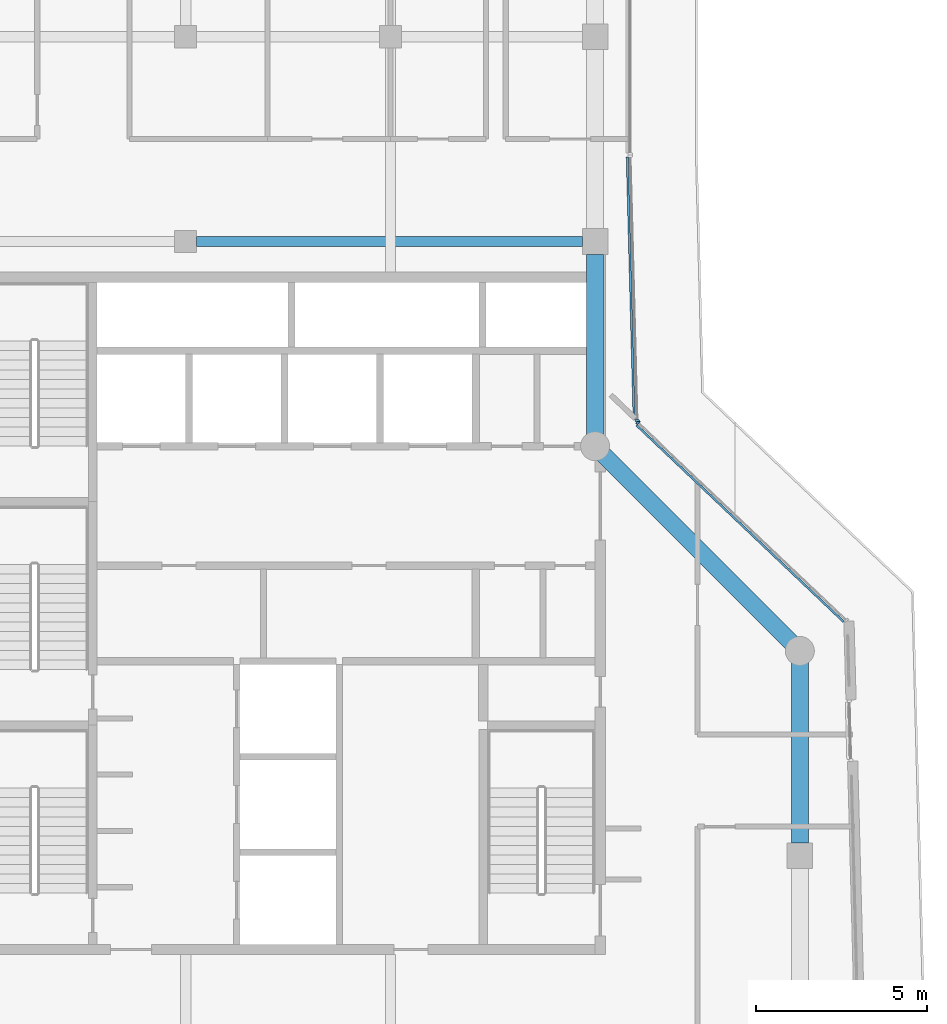
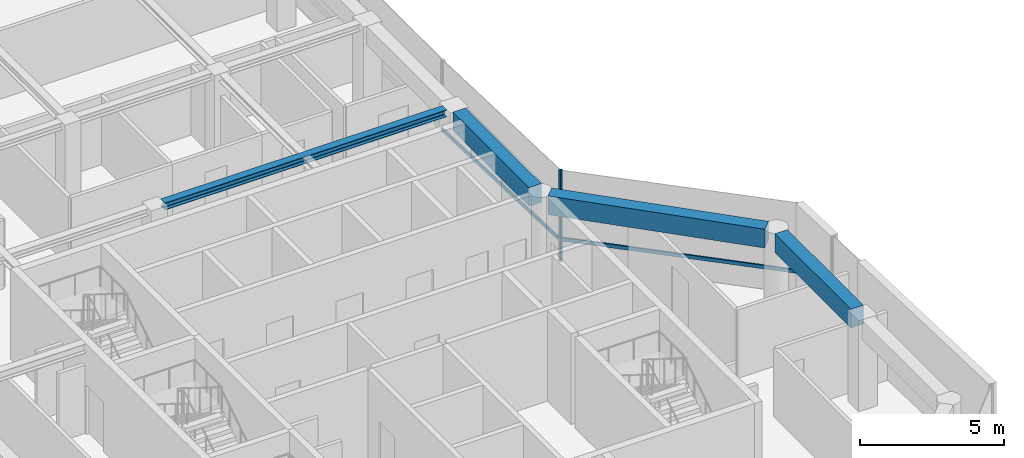
# One storey, part 5 of 20: 4 beams, 4 members, 2 elements without a shape of their own.
"""IFC4 building model written with IfcOpenShell, lengths in metres."""

from ifc_helpers import new_model, si_unit, direction, frame, origin, origin_2d, place, context, subcontext, project, spatial, rectangle, i_section, extrude, material, layer, layer_set, material_profile, profile_set, type_object, element, aggregate, save


model = new_model("IFC4")

# Units and contexts
model_context = context("Model", 3, precision=1e-05, world=origin(), true_north=direction((0.0, 1.0)))
body_context = subcontext(model_context, "Body", "Model", "MODEL_VIEW")
ifc_project = project(units=[si_unit("LENGTHUNIT", "METRE"), si_unit("AREAUNIT", "SQUARE_METRE"), si_unit("VOLUMEUNIT", "CUBIC_METRE"), si_unit("PLANEANGLEUNIT", "RADIAN"), si_unit("MASSUNIT", "GRAM", prefix="KILO")], contexts=[model_context])

# Site, building, storey
site_placement = place(None, origin())
site = spatial("IfcSite", under=ifc_project, at=site_placement, CompositionType="ELEMENT")
building_placement = place(site_placement, origin())
building = spatial("IfcBuilding", under=site, at=building_placement, Name="Welwitschia Terrace Campus", CompositionType="ELEMENT")
storey_placement = place(building_placement, frame((0.0, 0.0, 293.60009765625)))
storey = spatial("IfcBuildingStorey", under=building, at=storey_placement, Name="L65", CompositionType="ELEMENT", Elevation=293.60009765625)

# Beam
ifc_material_1 = material(Name="Steel S355", Category="steel")
ifc_material_profile_1 = material_profile(ifc_material_1, i_section(OverallWidth=0.300048828125, OverallDepth=0.300048828125, WebThickness=0.010986328125, FlangeThickness=0.01904296875, FilletRadius=0.027099609375, at=origin_2d()))
ifc_profile_set_1 = profile_set([ifc_material_profile_1], Name="Steel S355")
beam_type_1 = type_object("IfcBeamType", Name="Interior girder HE 300 B", PredefinedType="BEAM", material=ifc_profile_set_1)
beam_1_placement = place(storey_placement, frame((12.325439453125, 26.0, 3.699951171875), z_axis=(1.0, 0.0, 0.0), x_axis=(0.0, 1.0, 0.0)))
element("IfcBeam", 1, at=beam_1_placement, inside=storey, type_object=beam_type_1, Name="Girder GB6", PredefinedType="BEAM", context=body_context, shape_type="SweptSolid", body=[
    extrude(i_section(OverallWidth=0.300048828125, OverallDepth=0.300048828125, WebThickness=0.010986328125, FlangeThickness=0.01904296875, FilletRadius=0.027099609375, at=origin_2d()), origin(), (0.0, 0.0, 1.0), 11.30908203125),
])

# Curtain wall, member
ifc_material_2 = material(Name="Bronze anodised aluminium", Category="aluminium")
ifc_layer = layer(ifc_material_2, 0.1201171875)
ifc_layer_set = layer_set([ifc_layer], Name="Bronze anodised aluminium")
curtain_wall_type = type_object("IfcCurtainWallType", Name="Curtain wall CW2 tower 6000", PredefinedType="NOTDEFINED", material=ifc_layer_set)
curtain_wall_1_placement = place(storey_placement, origin())
curtain_wall_1 = element("IfcCurtainWall", 2, at=curtain_wall_1_placement, inside=storey, type_object=curtain_wall_type, Name="CW L65.7.0", PredefinedType="NOTDEFINED")
ifc_material_3 = material(Name="Bronze anodised aluminium", Category="aluminium")
ifc_material_profile_2 = material_profile(ifc_material_3, rectangle(XDim=0.1201171875, YDim=0.06005859375, at=origin_2d()))
ifc_profile_set_2 = profile_set([ifc_material_profile_2], Name="Bronze anodised aluminium")
member_type_1 = type_object("IfcMemberType", Name="Mullion 60x120", PredefinedType="MULLION", material=ifc_profile_set_2)
member_1_placement = place(storey_placement, frame((25.25634765625, 20.6982421875, 0.0), z_axis=(0.0, 0.0, 1.0), x_axis=(-0.688354575694, -0.725374371012, 0.0)))
member_1 = element("IfcMember", 3, at=member_1_placement, type_object=member_type_1, Name="Mullion L65.7.0.1", PredefinedType="MULLION", context=body_context, shape_type="SweptSolid", body=[
    extrude(rectangle(XDim=0.1201171875, YDim=0.06005859375, at=origin_2d()), origin(), (0.0, 0.0, 1.0), 3.849853515625),
])

curtain_wall_2_placement = place(storey_placement, origin())
curtain_wall_2 = element("IfcCurtainWall", 4, at=curtain_wall_2_placement, inside=storey, type_object=curtain_wall_type, Name="CW L65.8.0", PredefinedType="NOTDEFINED")
member_2_placement = place(storey_placement, frame((25.23388671875, 20.748779296875, 0.0), z_axis=(0.0, 0.0, 1.0), x_axis=(-0.999657324976, -0.026176948308, 0.0)))
member_2 = element("IfcMember", 5, at=member_2_placement, type_object=member_type_1, Name="Mullion L65.8.0.0", PredefinedType="MULLION", context=body_context, shape_type="SweptSolid", body=[
    extrude(rectangle(XDim=0.1201171875, YDim=0.06005859375, at=origin_2d()), origin(), (0.0, 0.0, 1.0), 3.849853515625),
])

# Beams
ifc_material_4 = material(Name="Concrete C50/60", Category="concrete")
ifc_material_profile_3 = material_profile(ifc_material_4, rectangle(XDim=0.5, YDim=0.800048828125, at=origin_2d()))
ifc_profile_set_3 = profile_set([ifc_material_profile_3], Name="Concrete C50/60")
beam_type_2 = type_object("IfcBeamType", Name="Ring spandrel 500x800", PredefinedType="SPANDREL", material=ifc_profile_set_3)
beam_2_placement = place(storey_placement, frame((30.0, 8.37548828125, 3.449951171875), z_axis=(0.0, 1.0, 0.0), x_axis=(-1.0, 0.0, 0.0)))
element("IfcBeam", 6, at=beam_2_placement, inside=storey, type_object=beam_type_2, Name="Spandrel SP4", PredefinedType="SPANDREL", context=body_context, shape_type="SweptSolid", body=[
    extrude(rectangle(XDim=0.5, YDim=0.800048828125, at=origin_2d()), origin(), (0.0, 0.0, 1.0), 5.280029296875),
])
beam_3_placement = place(storey_placement, frame((29.75634765625, 14.24365234375, 3.449951171875), z_axis=(-0.707106781187, 0.707106781187, 0.0), x_axis=(-0.707106781187, -0.707106781187, 0.0)))
element("IfcBeam", 7, at=beam_3_placement, inside=storey, type_object=beam_type_2, Name="Spandrel SP4", PredefinedType="SPANDREL", context=body_context, shape_type="SweptSolid", body=[
    extrude(rectangle(XDim=0.5, YDim=0.800048828125, at=origin_2d()), origin(), (0.0, 0.0, 1.0), 7.796142578125),
])
beam_4_placement = place(storey_placement, frame((24.0, 20.344482421875, 3.449951171875), z_axis=(0.0, 1.0, 0.0), x_axis=(-1.0, 0.0, 0.0)))
element("IfcBeam", 8, at=beam_4_placement, inside=storey, type_object=beam_type_2, Name="Spandrel SP4", PredefinedType="SPANDREL", context=body_context, shape_type="SweptSolid", body=[
    extrude(rectangle(XDim=0.5, YDim=0.800048828125, at=origin_2d()), origin(), (0.0, 0.0, 1.0), 5.280029296875),
])

# Member
ifc_material_5 = material(Name="Bronze anodised aluminium", Category="aluminium")
ifc_material_profile_4 = material_profile(ifc_material_5, rectangle(XDim=0.06005859375, YDim=0.14990234375, at=origin_2d()))
ifc_profile_set_4 = profile_set([ifc_material_profile_4], Name="Bronze anodised aluminium")
member_type_2 = type_object("IfcMemberType", Name="Transom 60x150", PredefinedType="USERDEFINED", material=ifc_profile_set_4)
member_3_placement = place(storey_placement, frame((31.2841796875, 14.85400390625, 1.0), z_axis=(-0.725368036879, 0.688361250416, 0.0), x_axis=(-0.688361250416, -0.725368036879, 0.0)))
member_3 = element("IfcMember", 9, at=member_3_placement, type_object=member_type_2, Name="Transom L65.7.0", ObjectType="TRANSOM", PredefinedType="USERDEFINED", context=body_context, shape_type="SweptSolid", body=[
    extrude(rectangle(XDim=0.06005859375, YDim=0.14990234375, at=origin_2d()), origin(), (0.0, 0.0, 1.0), 8.365234375),
])

aggregate(curtain_wall_1, [member_1, member_3])

member_4_placement = place(storey_placement, frame((25.14306640625, 20.7763671875, 1.0), z_axis=(-0.026169045337, 0.999657531891, 0.0), x_axis=(-0.999657531891, -0.026169045337, 0.0)))
member_4 = element("IfcMember", 10, at=member_4_placement, type_object=member_type_2, Name="Transom L65.8.0", ObjectType="TRANSOM", PredefinedType="USERDEFINED", context=body_context, shape_type="SweptSolid", body=[
    extrude(rectangle(XDim=0.06005859375, YDim=0.14990234375, at=origin_2d()), origin(), (0.0, 0.0, 1.0), 7.69677734375),
])

aggregate(curtain_wall_2, [member_2, member_4])

save(model, "model.ifc")
